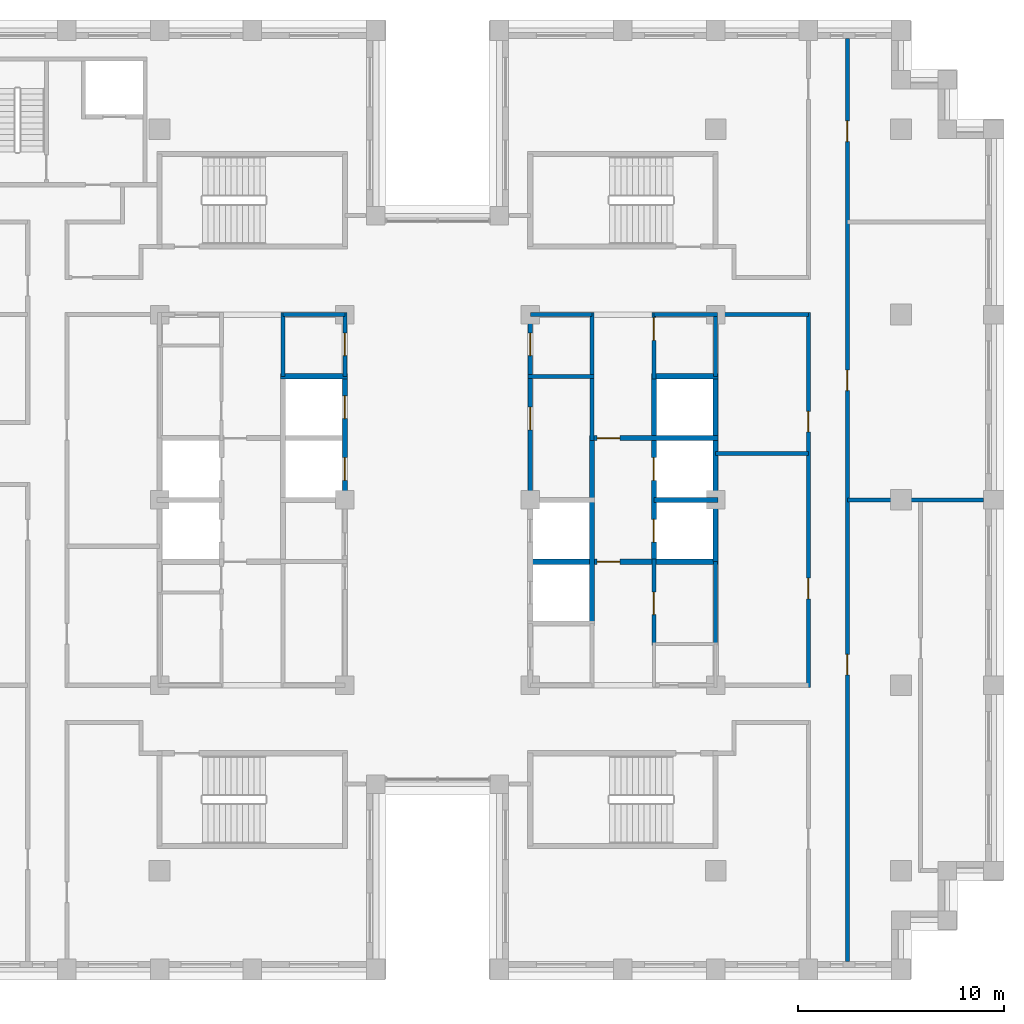
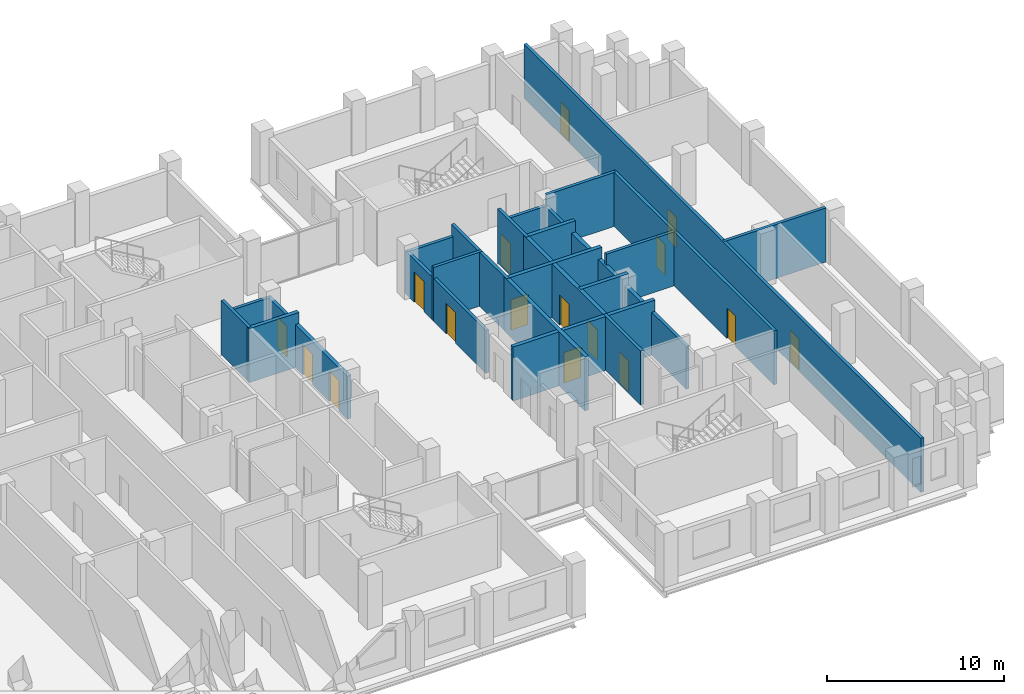
# One storey, part 9 of 15: 26 walls, 16 doors, 16 openings.
"""IFC4 building model written with IfcOpenShell, lengths in metres."""

import ifcopenshell
import ifcopenshell.guid

model = None  # the IFC model being written
_history = None  # IfcOwnerHistory: only IFC2X3 demands one
_inside = {}  # id of a spatial element -> (the spatial element, [elements in it])
_under = {}  # id of a project, library or spatial element -> (it, [spatial elements below it])
_declared = {}  # id of a project -> (the project, [libraries it declares])
_typed = {}  # id of a type object -> (the type object, [elements of that type])
_made_of = {}  # id of a material, layer set ... -> (it, [elements and type objects made of it])


def new_model(schema):
    """Start an empty IFC model of exactly this schema.

    Asked for "IFC4X3", IfcOpenShell would pick the latest addendum, in which some entities
    have other attributes; the version numbers below select the first issue.
    IFC2X3 requires an IfcOwnerHistory on every rooted entity: one is made here for all.
    """
    global model, _history
    if schema == "IFC4X3":
        model = ifcopenshell.file(schema_version=(4, 3, 0, 0))
    else:
        model = ifcopenshell.file(schema=schema)
    _inside.clear()
    _under.clear()
    _declared.clear()
    _typed.clear()
    _made_of.clear()
    _history = None
    if model.schema == "IFC2X3":
        org = make("IfcOrganization", Name="unknown")
        user = make(
            "IfcPersonAndOrganization",
            ThePerson=make("IfcPerson", FamilyName="unknown"),
            TheOrganization=org,
        )
        app = make(
            "IfcApplication",
            ApplicationDeveloper=org,
            Version="unknown",
            ApplicationFullName="unknown",
            ApplicationIdentifier="unknown",
        )
        _history = make(
            "IfcOwnerHistory",
            OwningUser=user,
            OwningApplication=app,
            ChangeAction="ADDED",
            CreationDate=0,
        )
    return model


def make(cls, **values):
    """One entity of the class cls with the attributes given. An attribute that is None is left unset."""
    return model.create_entity(
        cls, **{name: value for name, value in values.items() if value is not None}
    )


def rooted(cls, **values):
    """An entity with a GlobalId (a new one), such as an element, a storey or a relation."""
    return make(cls, GlobalId=ifcopenshell.guid.new(), OwnerHistory=_history, **values)


def si_unit(unit_type, name, prefix=None):
    """IfcSIUnit, for example si_unit("LENGTHUNIT", "METRE", prefix="MILLI")."""
    return make("IfcSIUnit", UnitType=unit_type, Prefix=prefix, Name=name)


def assignment(units):
    """IfcUnitAssignment: the units of a project."""
    return None if units is None else make("IfcUnitAssignment", Units=units)


def point(xyz):
    """IfcCartesianPoint."""
    return None if xyz is None else make("IfcCartesianPoint", Coordinates=xyz)


def direction(xyz):
    """IfcDirection."""
    return None if xyz is None else make("IfcDirection", DirectionRatios=xyz)


def frame(location, z_axis=None, x_axis=None):
    """IfcAxis2Placement3D, a coordinate frame: its origin and axes. An axis left out is left unset."""
    return make(
        "IfcAxis2Placement3D",
        Location=point(location),
        Axis=direction(z_axis),
        RefDirection=direction(x_axis),
    )


def frame_2d(location, x_axis=None):
    """IfcAxis2Placement2D, a coordinate frame in the plane: its origin and x axis."""
    return make(
        "IfcAxis2Placement2D", Location=point(location), RefDirection=direction(x_axis)
    )


def origin():
    """The frame at (0, 0, 0) with its axes left unset."""
    return frame((0.0, 0.0, 0.0))


def place(relative_to, where):
    """IfcLocalPlacement: puts the frame where relative to a parent placement (None: the world)."""
    return make(
        "IfcLocalPlacement", PlacementRelTo=relative_to, RelativePlacement=where
    )


def context(
    kind, dimensions, precision=None, world=None, true_north=None, identifier=None
):
    """IfcGeometricRepresentationContext, for example the 3D "Model" context."""
    return make(
        "IfcGeometricRepresentationContext",
        ContextIdentifier=identifier,
        ContextType=kind,
        CoordinateSpaceDimension=dimensions,
        Precision=precision,
        WorldCoordinateSystem=world,
        TrueNorth=true_north,
    )


def subcontext(parent, identifier, kind, view, scale=None):
    """IfcGeometricRepresentationSubContext, for example "Body" below "Model"."""
    return make(
        "IfcGeometricRepresentationSubContext",
        ContextIdentifier=identifier,
        ContextType=kind,
        ParentContext=parent,
        TargetScale=scale,
        TargetView=view,
    )


def project(units=None, contexts=None):
    """IfcProject with its units and contexts."""
    return rooted(
        "IfcProject",
        Name="project",
        RepresentationContexts=contexts,
        UnitsInContext=assignment(units),
    )


def spatial(cls, under=None, at=None, **own):
    """A site, building, storey or space (cls), placed at a placement, below another one or the project."""
    s = rooted(cls, ObjectPlacement=at, **own)
    if under is not None:
        _under.setdefault(under.id(), (under, []))[1].append(s)
    return s


def profile(cls, at=None, kind="AREA", **sizes):
    """A parametric profile (cls). Its sizes go by their IFC names, for example OverallWidth=200.0."""
    return make(cls, ProfileType=kind, Position=at, **sizes)


def rectangle(**sizes):
    """IfcRectangleProfileDef."""
    return profile("IfcRectangleProfileDef", **sizes)


def extrude(swept, where, along, depth):
    """IfcExtrudedAreaSolid: the profile swept, set in the frame where, extruded along a direction by depth."""
    return make(
        "IfcExtrudedAreaSolid",
        SweptArea=swept,
        Position=where,
        ExtrudedDirection=direction(along),
        Depth=depth,
    )


def shape(context_of_items, identifier, shape_type, items):
    """IfcShapeRepresentation: the items that make up one representation, for example the "Body"."""
    return make(
        "IfcShapeRepresentation",
        ContextOfItems=context_of_items,
        RepresentationIdentifier=identifier,
        RepresentationType=shape_type,
        Items=items,
    )


def material(Name=None, Category=None):
    """IfcMaterial."""
    return make("IfcMaterial", Name=Name, Category=Category)


def layer(
    of_material, thickness, ventilated=None, Name=None, Category=None, Priority=None
):
    """IfcMaterialLayer: one layer of a wall or slab, of a material (None: an air gap)."""
    return make(
        "IfcMaterialLayer",
        Material=of_material,
        LayerThickness=thickness,
        IsVentilated=ventilated,
        Name=Name,
        Category=Category,
        Priority=Priority,
    )


def layer_set(layers, Name=None):
    """IfcMaterialLayerSet."""
    return make("IfcMaterialLayerSet", MaterialLayers=layers, LayerSetName=Name)


def made_of(thing, what):
    """Note that an element or type object is made of a material, layer set ...; save() writes the relation."""
    if what is not None:
        _made_of.setdefault(what.id(), (what, []))[1].append(thing)
    return thing


def type_object(cls, material=None, **own):
    """A type object (cls), such as IfcWallType, which elements share."""
    return made_of(rooted(cls, **own), material)


def element(
    cls,
    number,
    at=None,
    inside=None,
    cuts=None,
    type_object=None,
    material=None,
    context=None,
    identifier="Body",
    shape_type=None,
    held_by="IfcProductDefinitionShape",
    body=None,
    shapes=None,
    **own,
):
    """One element of the class cls, such as IfcWall. Its Tag is "e" and its number.

    at: its placement. inside: the storey or other place that contains it. cuts: it is an
    opening in that element (IfcRelVoidsElement). A single representation is given by context,
    identifier, shape_type and body (its items); several are given by shapes. held_by: the class
    of the entity that holds the representations. save() writes the other relations.
    """
    e = rooted(cls, Tag="e%d" % number, ObjectPlacement=at, **own)
    if body is not None:
        shapes = [shape(context, identifier, shape_type, body)]
    if shapes is not None:
        e.Representation = make(held_by, Representations=shapes)
    if inside is not None:
        _inside.setdefault(inside.id(), (inside, []))[1].append(e)
    if cuts is not None:
        rooted(
            "IfcRelVoidsElement", RelatingBuildingElement=cuts, RelatedOpeningElement=e
        )
    if type_object is not None:
        _typed.setdefault(type_object.id(), (type_object, []))[1].append(e)
    return made_of(e, material)


def fill(opening, filler):
    """IfcRelFillsElement: the door or window that sits in an opening."""
    return rooted(
        "IfcRelFillsElement",
        RelatingOpeningElement=opening,
        RelatedBuildingElement=filler,
    )


def aggregate(whole, parts):
    """IfcRelAggregates: a whole, such as a stair, and the parts it consists of."""
    return rooted("IfcRelAggregates", RelatingObject=whole, RelatedObjects=parts)


def save(model, path):
    """Write the relations noted so far, then the file.

    IfcRelAggregates (storeys below a building ...), IfcRelContainedInSpatialStructure (elements
    in a storey), IfcRelDefinesByType, IfcRelAssociatesMaterial and IfcRelDeclares: one each for
    every whole, place, type object, material and project.
    """
    for whole, parts in _under.values():
        aggregate(whole, parts)
    for where, things in _inside.values():
        rooted(
            "IfcRelContainedInSpatialStructure",
            RelatedElements=things,
            RelatingStructure=where,
        )
    for kind, things in _typed.values():
        rooted("IfcRelDefinesByType", RelatedObjects=things, RelatingType=kind)
    for what, things in _made_of.values():
        rooted("IfcRelAssociatesMaterial", RelatedObjects=things, RelatingMaterial=what)
    for by, libraries in _declared.values():
        rooted("IfcRelDeclares", RelatingContext=by, RelatedDefinitions=libraries)
    model.write(path)


model = new_model("IFC4")

# Units and contexts
model_context = context("Model", 3, precision=1e-05, world=origin(), true_north=direction((0.0, 1.0)))
body_context = subcontext(model_context, "Body", "Model", "MODEL_VIEW")
ifc_project = project(units=[si_unit("LENGTHUNIT", "METRE"), si_unit("AREAUNIT", "SQUARE_METRE"), si_unit("VOLUMEUNIT", "CUBIC_METRE"), si_unit("PLANEANGLEUNIT", "RADIAN"), si_unit("MASSUNIT", "GRAM", prefix="KILO")], contexts=[model_context])

# Site, building, storey
site_placement = place(None, origin())
site = spatial("IfcSite", under=ifc_project, at=site_placement, CompositionType="ELEMENT")
building_placement = place(site_placement, origin())
building = spatial("IfcBuilding", under=site, at=building_placement, Name="Corbelhall Arena Tower", CompositionType="ELEMENT")
storey_placement = place(building_placement, frame((0.0, 0.0, 224.0)))
storey = spatial("IfcBuildingStorey", under=building, at=storey_placement, Name="L47", CompositionType="ELEMENT", Elevation=224.0)

# Walls
ifc_material_1 = material(Name="Gypsum board on steel stud, acoustic", Category="steel")
ifc_layer_1 = layer(ifc_material_1, 0.199951171875)
ifc_layer_set_1 = layer_set([ifc_layer_1], Name="IN-W-DM200")
wall_type_1 = type_object("IfcWallType", Name="IN-W-DM200", PredefinedType="PARTITIONING", material=ifc_layer_set_1)
for number, where, z_axis, x_axis, name in (
    (1, (13.5, 2.25, 0.0), (0.0, 0.0, 1.0), (1.0, 0.0, 0.0), "Partition 037"),
    (2, (18.0, 9.0, 0.0), (0.0, 0.0, 1.0), (-1.0, 0.0, 0.0), "Partition 040"),
):
    element("IfcWall", number, at=place(storey_placement, frame(where, z_axis=z_axis, x_axis=x_axis)), inside=storey, type_object=wall_type_1, Name=name, PredefinedType="PARTITIONING", context=body_context, shape_type="SweptSolid", body=[
        extrude(rectangle(XDim=4.5, YDim=0.199951171875, at=frame_2d((2.25, 0.0))), origin(), (0.0, 0.0, 1.0), 3.719970703125),
    ])

# Wall, openings, doors
wall_1_placement = place(storey_placement, frame((18.0, -9.10009765625, 0.0), z_axis=(0.0, 0.0, 1.0), x_axis=(0.0, 1.0, 0.0)))
wall_1 = element("IfcWall", 3, at=wall_1_placement, inside=storey, type_object=wall_type_1, Name="Partition 045", PredefinedType="PARTITIONING", context=body_context, shape_type="SweptSolid", body=[
    extrude(rectangle(XDim=18.2001953125, YDim=0.199951171875, at=frame_2d((9.10009765625, 0.0))), origin(), (0.0, 0.0, 1.0), 3.719970703125),
])
opening_1_placement = place(wall_1_placement, frame((4.300048828125, 0.0, 0.0)))
opening_1 = element("IfcOpeningElement", 4, at=opening_1_placement, cuts=wall_1, Name="Opening 14026", PredefinedType="OPENING", context=body_context, shape_type="SweptSolid", body=[
    extrude(rectangle(XDim=1.0, YDim=2.10009765625, at=frame_2d((0.5, 1.050048828125))), frame((0.0, 0.10009765625, 0.0), z_axis=(0.0, -1.0, 0.0), x_axis=(1.0, 0.0, 0.0)), (0.0, 0.0, 1.0), 0.199951171875),
])
opening_2_placement = place(wall_1_placement, frame((12.39990234375, 0.0, 0.0)))
opening_2 = element("IfcOpeningElement", 5, at=opening_2_placement, cuts=wall_1, Name="Opening 14027", PredefinedType="OPENING", context=body_context, shape_type="SweptSolid", body=[
    extrude(rectangle(XDim=1.0, YDim=2.10009765625, at=frame_2d((0.5, 1.050048828125))), frame((0.0, 0.10009765625, 0.0), z_axis=(0.0, -1.0, 0.0), x_axis=(1.0, 0.0, 0.0)), (0.0, 0.0, 1.0), 0.199951171875),
])
ifc_material_2 = material(Name="Steel door set", Category="steel")
door_type_1 = type_object("IfcDoorType", Name="IN-D-SW100", OperationType="NOTDEFINED", PredefinedType="DOOR", material=ifc_material_2)
door_1_placement = place(opening_1_placement, origin())
door_1 = element("IfcDoor", 6, at=door_1_placement, inside=storey, type_object=door_type_1, Name="Door 026", OperationType="SINGLE_SWING_LEFT", OverallHeight=2.10009765625, OverallWidth=1.0, PredefinedType="DOOR", context=body_context, shape_type="SweptSolid", body=[
    extrude(rectangle(XDim=1.0, YDim=2.10009765625, at=frame_2d((0.5, 1.050048828125))), frame((0.0, 0.02490234375, 0.0), z_axis=(0.0, -1.0, 0.0), x_axis=(1.0, 0.0, 0.0)), (0.0, 0.0, 1.0), 0.050048828125),
])
fill(opening_1, door_1)
door_2_placement = place(opening_2_placement, origin())
door_2 = element("IfcDoor", 7, at=door_2_placement, inside=storey, type_object=door_type_1, Name="Door 027", OperationType="SINGLE_SWING_RIGHT", OverallHeight=2.10009765625, OverallWidth=1.0, PredefinedType="DOOR", context=body_context, shape_type="SweptSolid", body=[
    extrude(rectangle(XDim=1.0, YDim=2.10009765625, at=frame_2d((0.5, 1.050048828125))), frame((0.0, 0.02490234375, 0.0), z_axis=(0.0, -1.0, 0.0), x_axis=(1.0, 0.0, 0.0)), (0.0, 0.0, 1.0), 0.050048828125),
])
fill(opening_2, door_2)

wall_2_placement = place(storey_placement, frame((19.89990234375, 22.39990234375, 0.0), z_axis=(0.0, 0.0, 1.0), x_axis=(0.0, -1.0, 0.0)))
wall_2 = element("IfcWall", 8, at=wall_2_placement, inside=storey, type_object=wall_type_1, Name="Partition 047", PredefinedType="PARTITIONING", context=body_context, shape_type="SweptSolid", body=[
    extrude(rectangle(XDim=44.7998046875, YDim=0.199951171875, at=frame_2d((22.39990234375, 0.0))), origin(), (0.0, 0.0, 1.0), 3.719970703125),
])
opening_3_placement = place(wall_2_placement, frame((16.10009765625, 0.0, 0.0)))
opening_3 = element("IfcOpeningElement", 9, at=opening_3_placement, cuts=wall_2, Name="Opening 14038", PredefinedType="OPENING", context=body_context, shape_type="SweptSolid", body=[
    extrude(rectangle(XDim=1.0, YDim=2.10009765625, at=frame_2d((0.5, 1.050048828125))), frame((0.0, 0.10009765625, 0.0), z_axis=(0.0, -1.0, 0.0), x_axis=(1.0, 0.0, 0.0)), (0.0, 0.0, 1.0), 0.199951171875),
])
opening_4_placement = place(wall_2_placement, frame((4.0, 0.0, 0.0)))
opening_4 = element("IfcOpeningElement", 10, at=opening_4_placement, cuts=wall_2, Name="Opening 14039", PredefinedType="OPENING", context=body_context, shape_type="SweptSolid", body=[
    extrude(rectangle(XDim=1.0, YDim=2.10009765625, at=frame_2d((0.5, 1.050048828125))), frame((0.0, 0.10009765625, 0.0), z_axis=(0.0, -1.0, 0.0), x_axis=(1.0, 0.0, 0.0)), (0.0, 0.0, 1.0), 0.199951171875),
])
opening_5_placement = place(wall_2_placement, frame((29.89990234375, 0.0, 0.0)))
opening_5 = element("IfcOpeningElement", 11, at=opening_5_placement, cuts=wall_2, Name="Opening 14040", PredefinedType="OPENING", context=body_context, shape_type="SweptSolid", body=[
    extrude(rectangle(XDim=1.0, YDim=2.10009765625, at=frame_2d((0.5, 1.050048828125))), frame((0.0, 0.10009765625, 0.0), z_axis=(0.0, -1.0, 0.0), x_axis=(1.0, 0.0, 0.0)), (0.0, 0.0, 1.0), 0.199951171875),
])
door_3_placement = place(opening_3_placement, origin())
door_3 = element("IfcDoor", 12, at=door_3_placement, inside=storey, type_object=door_type_1, Name="Door 038", OperationType="SINGLE_SWING_LEFT", OverallHeight=2.10009765625, OverallWidth=1.0, PredefinedType="DOOR", context=body_context, shape_type="SweptSolid", body=[
    extrude(rectangle(XDim=1.0, YDim=2.10009765625, at=frame_2d((0.5, 1.050048828125))), frame((0.0, 0.02490234375, 0.0), z_axis=(0.0, -1.0, 0.0), x_axis=(1.0, 0.0, 0.0)), (0.0, 0.0, 1.0), 0.050048828125),
])
fill(opening_3, door_3)
door_4_placement = place(opening_4_placement, origin())
door_4 = element("IfcDoor", 13, at=door_4_placement, inside=storey, type_object=door_type_1, Name="Door 039", OperationType="SINGLE_SWING_RIGHT", OverallHeight=2.10009765625, OverallWidth=1.0, PredefinedType="DOOR", context=body_context, shape_type="SweptSolid", body=[
    extrude(rectangle(XDim=1.0, YDim=2.10009765625, at=frame_2d((0.5, 1.050048828125))), frame((0.0, 0.02490234375, 0.0), z_axis=(0.0, -1.0, 0.0), x_axis=(1.0, 0.0, 0.0)), (0.0, 0.0, 1.0), 0.050048828125),
])
fill(opening_4, door_4)
door_5_placement = place(opening_5_placement, origin())
door_5 = element("IfcDoor", 14, at=door_5_placement, inside=storey, type_object=door_type_1, Name="Door 040", OperationType="SINGLE_SWING_LEFT", OverallHeight=2.10009765625, OverallWidth=1.0, PredefinedType="DOOR", context=body_context, shape_type="SweptSolid", body=[
    extrude(rectangle(XDim=1.0, YDim=2.10009765625, at=frame_2d((0.5, 1.050048828125))), frame((0.0, 0.02490234375, 0.0), z_axis=(0.0, -1.0, 0.0), x_axis=(1.0, 0.0, 0.0)), (0.0, 0.0, 1.0), 0.050048828125),
])
fill(opening_5, door_5)

# Walls
wall_3_placement = place(storey_placement, frame((26.5, 0.0, 0.0), z_axis=(0.0, 0.0, 1.0), x_axis=(-1.0, 0.0, 0.0)))
element("IfcWall", 15, at=wall_3_placement, inside=storey, type_object=wall_type_1, Name="Partition 051", PredefinedType="PARTITIONING", context=body_context, shape_type="SweptSolid", body=[
    extrude(rectangle(XDim=6.60009765625, YDim=0.199951171875, at=frame_2d((3.300048828125, 0.0))), origin(), (0.0, 0.0, 1.0), 3.719970703125),
])
ifc_material_3 = material(Name="Concrete block wall", Category="concrete")
ifc_layer_2 = layer(ifc_material_3, 0.199951171875)
ifc_layer_set_2 = layer_set([ifc_layer_2], Name="IN-W-RS200")
wall_type_2 = type_object("IfcWallType", Name="IN-W-RS200", PredefinedType="SOLIDWALL", material=ifc_layer_set_2)
wall_4_placement = place(storey_placement, frame((-7.5, 6.0, 0.0), z_axis=(0.0, 0.0, 1.0), x_axis=(0.0, 1.0, 0.0)))
element("IfcWall", 16, at=wall_4_placement, inside=storey, type_object=wall_type_2, Name="Partition 059", PredefinedType="SOLIDWALL", context=body_context, shape_type="SweptSolid", body=[
    extrude(rectangle(XDim=3.10009765625, YDim=0.199951171875, at=frame_2d((1.550048828125, 0.0))), origin(), (0.0, 0.0, 1.0), 3.719970703125),
])
wall_5_placement = place(storey_placement, frame((4.39990234375, 6.0, 0.0), z_axis=(0.0, 0.0, 1.0), x_axis=(1.0, 0.0, 0.0)))
element("IfcWall", 17, at=wall_5_placement, inside=storey, type_object=wall_type_2, Name="Partition 064", PredefinedType="SOLIDWALL", context=body_context, shape_type="SweptSolid", body=[
    extrude(rectangle(XDim=3.2001953125, YDim=0.199951171875, at=frame_2d((1.60009765625, 0.0))), origin(), (0.0, 0.0, 1.0), 3.719970703125),
])
wall_6_placement = place(storey_placement, frame((7.5, 9.10009765625, 0.0), z_axis=(0.0, 0.0, 1.0), x_axis=(0.0, -1.0, 0.0)))
element("IfcWall", 18, at=wall_6_placement, inside=storey, type_object=wall_type_2, Name="Partition 070", PredefinedType="SOLIDWALL", context=body_context, shape_type="SweptSolid", body=[
    extrude(rectangle(XDim=6.22509765625, YDim=0.199951171875, at=frame_2d((3.112548828125, 0.0))), origin(), (0.0, 0.0, 1.0), 3.719970703125),
])

# Wall, opening, door
wall_7_placement = place(storey_placement, frame((10.5, -2.875, 0.0), z_axis=(0.0, 0.0, 1.0), x_axis=(0.0, -1.0, 0.0)))
wall_7 = element("IfcWall", 19, at=wall_7_placement, inside=storey, type_object=wall_type_2, Name="Partition 071", PredefinedType="SOLIDWALL", context=body_context, shape_type="SweptSolid", body=[
    extrude(rectangle(XDim=4.199951171875, YDim=0.199951171875, at=frame_2d((2.10009765625, 0.0))), origin(), (0.0, 0.0, 1.0), 3.719970703125),
])
opening_6_placement = place(wall_7_placement, frame((1.60009765625, 0.0, 0.0)))
opening_6 = element("IfcOpeningElement", 20, at=opening_6_placement, cuts=wall_7, Name="Opening 14016", PredefinedType="OPENING", context=body_context, shape_type="SweptSolid", body=[
    extrude(rectangle(XDim=1.10009765625, YDim=2.10009765625, at=frame_2d((0.550048828125, 1.050048828125))), frame((0.0, 0.10009765625, 0.0), z_axis=(0.0, -1.0, 0.0), x_axis=(1.0, 0.0, 0.0)), (0.0, 0.0, 1.0), 0.199951171875),
])
door_type_2 = type_object("IfcDoorType", Name="IN-D-FD110", OperationType="NOTDEFINED", PredefinedType="DOOR", material=ifc_material_2)
door_6_placement = place(opening_6_placement, origin())
door_6 = element("IfcDoor", 21, at=door_6_placement, inside=storey, type_object=door_type_2, Name="Door 016", OperationType="SINGLE_SWING_LEFT", OverallHeight=2.10009765625, OverallWidth=1.10009765625, PredefinedType="DOOR", context=body_context, shape_type="SweptSolid", body=[
    extrude(rectangle(XDim=1.10009765625, YDim=2.10009765625, at=frame_2d((0.550048828125, 1.050048828125))), frame((0.0, 0.02490234375, 0.0), z_axis=(0.0, -1.0, 0.0), x_axis=(1.0, 0.0, 0.0)), (0.0, 0.0, 1.0), 0.050048828125),
])
fill(opening_6, door_6)

wall_8_placement = place(storey_placement, frame((10.5, 9.10009765625, 0.0), z_axis=(0.0, 0.0, 1.0), x_axis=(0.0, -1.0, 0.0)))
wall_8 = element("IfcWall", 22, at=wall_8_placement, inside=storey, type_object=wall_type_2, Name="Partition 073", PredefinedType="SOLIDWALL", context=body_context, shape_type="SweptSolid", body=[
    extrude(rectangle(XDim=3.22509765625, YDim=0.199951171875, at=frame_2d((1.612548828125, 0.0))), origin(), (0.0, 0.0, 1.0), 3.719970703125),
])
opening_7_placement = place(wall_8_placement, frame((0.25, 0.0, 0.0)))
opening_7 = element("IfcOpeningElement", 23, at=opening_7_placement, cuts=wall_8, Name="Opening 14017", PredefinedType="OPENING", context=body_context, shape_type="SweptSolid", body=[
    extrude(rectangle(XDim=1.10009765625, YDim=2.10009765625, at=frame_2d((0.550048828125, 1.050048828125))), frame((0.0, 0.10009765625, 0.0), z_axis=(0.0, -1.0, 0.0), x_axis=(1.0, 0.0, 0.0)), (0.0, 0.0, 1.0), 0.199951171875),
])
door_7_placement = place(opening_7_placement, origin())
door_7 = element("IfcDoor", 24, at=door_7_placement, inside=storey, type_object=door_type_2, Name="Door 017", OperationType="SINGLE_SWING_RIGHT", OverallHeight=2.10009765625, OverallWidth=1.10009765625, PredefinedType="DOOR", context=body_context, shape_type="SweptSolid", body=[
    extrude(rectangle(XDim=1.10009765625, YDim=2.10009765625, at=frame_2d((0.550048828125, 1.050048828125))), frame((0.0, 0.02490234375, 0.0), z_axis=(0.0, -1.0, 0.0), x_axis=(1.0, 0.0, 0.0)), (0.0, 0.0, 1.0), 0.050048828125),
])
fill(opening_7, door_7)

# Wall
ifc_layer_3 = layer(ifc_material_3, 0.199951171875)
ifc_layer_set_3 = layer_set([ifc_layer_3], Name="IN-W-RS200 under beam 762 mm")
wall_type_3 = type_object("IfcWallType", Name="IN-W-RS200 under beam 762 mm", PredefinedType="SOLIDWALL", material=ifc_layer_set_3)
wall_9_placement = place(storey_placement, frame((-7.5, 9.0, 0.0), z_axis=(0.0, 0.0, 1.0), x_axis=(1.0, 0.0, 0.0)))
element("IfcWall", 25, at=wall_9_placement, inside=storey, type_object=wall_type_3, Name="Partition 060", PredefinedType="SOLIDWALL", context=body_context, shape_type="SweptSolid", body=[
    extrude(rectangle(XDim=3.0, YDim=0.199951171875, at=frame_2d((1.5, 0.0))), origin(), (0.0, 0.0, 1.0), 2.9580078125),
])

# Wall, opening, door
wall_10_placement = place(storey_placement, frame((-4.5, 9.10009765625, 0.0), z_axis=(0.0, 0.0, 1.0), x_axis=(0.0, -1.0, 0.0)))
wall_10 = element("IfcWall", 26, at=wall_10_placement, inside=storey, type_object=wall_type_3, Name="Partition 063", PredefinedType="SOLIDWALL", context=body_context, shape_type="SweptSolid", body=[
    extrude(rectangle(XDim=3.10009765625, YDim=0.199951171875, at=frame_2d((1.550048828125, 0.0))), origin(), (0.0, 0.0, 1.0), 2.9580078125),
])
opening_8_placement = place(wall_10_placement, frame((1.0, 0.0, 0.0)))
opening_8 = element("IfcOpeningElement", 27, at=opening_8_placement, cuts=wall_10, Name="Opening 14003", PredefinedType="OPENING", context=body_context, shape_type="SweptSolid", body=[
    extrude(rectangle(XDim=1.10009765625, YDim=2.10009765625, at=frame_2d((0.550048828125, 1.050048828125))), frame((0.0, 0.10009765625, 0.0), z_axis=(0.0, -1.0, 0.0), x_axis=(1.0, 0.0, 0.0)), (0.0, 0.0, 1.0), 0.199951171875),
])
door_8_placement = place(opening_8_placement, origin())
door_8 = element("IfcDoor", 28, at=door_8_placement, inside=storey, type_object=door_type_2, Name="Door 003", OperationType="SINGLE_SWING_RIGHT", OverallHeight=2.10009765625, OverallWidth=1.10009765625, PredefinedType="DOOR", context=body_context, shape_type="SweptSolid", body=[
    extrude(rectangle(XDim=1.10009765625, YDim=2.10009765625, at=frame_2d((0.550048828125, 1.050048828125))), frame((0.0, 0.02490234375, 0.0), z_axis=(0.0, -1.0, 0.0), x_axis=(1.0, 0.0, 0.0)), (0.0, 0.0, 1.0), 0.050048828125),
])
fill(opening_8, door_8)

# Wall, openings, doors
wall_11_placement = place(storey_placement, frame((4.5, 0.0, 0.0), z_axis=(0.0, 0.0, 1.0), x_axis=(0.0, 1.0, 0.0)))
wall_11 = element("IfcWall", 29, at=wall_11_placement, inside=storey, type_object=wall_type_3, Name="Partition 066", PredefinedType="SOLIDWALL", context=body_context, shape_type="SweptSolid", body=[
    extrude(rectangle(XDim=9.10009765625, YDim=0.199951171875, at=frame_2d((4.550048828125, 0.0))), origin(), (0.0, 0.0, 1.0), 2.9580078125),
])
opening_9_placement = place(wall_11_placement, frame((3.39990234375, 0.0, 0.0)))
opening_9 = element("IfcOpeningElement", 30, at=opening_9_placement, cuts=wall_11, Name="Opening 14011", PredefinedType="OPENING", context=body_context, shape_type="SweptSolid", body=[
    extrude(rectangle(XDim=1.10009765625, YDim=2.10009765625, at=frame_2d((0.550048828125, 1.050048828125))), frame((0.0, 0.10009765625, 0.0), z_axis=(0.0, -1.0, 0.0), x_axis=(1.0, 0.0, 0.0)), (0.0, 0.0, 1.0), 0.199951171875),
])
opening_10_placement = place(wall_11_placement, frame((7.0, 0.0, 0.0)))
opening_10 = element("IfcOpeningElement", 31, at=opening_10_placement, cuts=wall_11, Name="Opening 14012", PredefinedType="OPENING", context=body_context, shape_type="SweptSolid", body=[
    extrude(rectangle(XDim=1.10009765625, YDim=2.10009765625, at=frame_2d((0.550048828125, 1.050048828125))), frame((0.0, 0.10009765625, 0.0), z_axis=(0.0, -1.0, 0.0), x_axis=(1.0, 0.0, 0.0)), (0.0, 0.0, 1.0), 0.199951171875),
])
door_9_placement = place(opening_9_placement, origin())
door_9 = element("IfcDoor", 32, at=door_9_placement, inside=storey, type_object=door_type_2, Name="Door 011", OperationType="SINGLE_SWING_RIGHT", OverallHeight=2.10009765625, OverallWidth=1.10009765625, PredefinedType="DOOR", context=body_context, shape_type="SweptSolid", body=[
    extrude(rectangle(XDim=1.10009765625, YDim=2.10009765625, at=frame_2d((0.550048828125, 1.050048828125))), frame((0.0, 0.02490234375, 0.0), z_axis=(0.0, -1.0, 0.0), x_axis=(1.0, 0.0, 0.0)), (0.0, 0.0, 1.0), 0.050048828125),
])
fill(opening_9, door_9)
door_10_placement = place(opening_10_placement, origin())
door_10 = element("IfcDoor", 33, at=door_10_placement, inside=storey, type_object=door_type_2, Name="Door 012", OperationType="SINGLE_SWING_LEFT", OverallHeight=2.10009765625, OverallWidth=1.10009765625, PredefinedType="DOOR", context=body_context, shape_type="SweptSolid", body=[
    extrude(rectangle(XDim=1.10009765625, YDim=2.10009765625, at=frame_2d((0.550048828125, 1.050048828125))), frame((0.0, 0.02490234375, 0.0), z_axis=(0.0, -1.0, 0.0), x_axis=(1.0, 0.0, 0.0)), (0.0, 0.0, 1.0), 0.050048828125),
])
fill(opening_10, door_10)

# Walls
wall_12_placement = place(storey_placement, frame((4.5, 9.0, 0.0), z_axis=(0.0, 0.0, 1.0), x_axis=(1.0, 0.0, 0.0)))
element("IfcWall", 34, at=wall_12_placement, inside=storey, type_object=wall_type_3, Name="Partition 067", PredefinedType="SOLIDWALL", context=body_context, shape_type="SweptSolid", body=[
    extrude(rectangle(XDim=3.0, YDim=0.199951171875, at=frame_2d((1.5, 0.0))), origin(), (0.0, 0.0, 1.0), 2.9580078125),
])
wall_13_placement = place(storey_placement, frame((10.5, 9.0, 0.0), z_axis=(0.0, 0.0, 1.0), x_axis=(1.0, 0.0, 0.0)))
element("IfcWall", 35, at=wall_13_placement, inside=storey, type_object=wall_type_3, Name="Partition 072", PredefinedType="SOLIDWALL", context=body_context, shape_type="SweptSolid", body=[
    extrude(rectangle(XDim=3.10009765625, YDim=0.199951171875, at=frame_2d((1.550048828125, 0.0))), origin(), (0.0, 0.0, 1.0), 2.9580078125),
])
wall_14_placement = place(storey_placement, frame((13.5, -3.0, 0.0), z_axis=(0.0, 0.0, 1.0), x_axis=(0.0, -1.0, 0.0)))
element("IfcWall", 36, at=wall_14_placement, inside=storey, type_object=wall_type_3, Name="Partition 074", PredefinedType="SOLIDWALL", context=body_context, shape_type="SweptSolid", body=[
    extrude(rectangle(XDim=4.0, YDim=0.199951171875, at=frame_2d((2.0, 0.0))), origin(), (0.0, 0.0, 1.0), 2.9580078125),
])
wall_15_placement = place(storey_placement, frame((13.5, 9.10009765625, 0.0), z_axis=(0.0, 0.0, 1.0), x_axis=(0.0, -1.0, 0.0)))
element("IfcWall", 37, at=wall_15_placement, inside=storey, type_object=wall_type_3, Name="Partition 075", PredefinedType="SOLIDWALL", context=body_context, shape_type="SweptSolid", body=[
    extrude(rectangle(XDim=3.10009765625, YDim=0.199951171875, at=frame_2d((1.550048828125, 0.0))), origin(), (0.0, 0.0, 1.0), 2.9580078125),
])
ifc_material_4 = material(Name="Concrete C40/50", Category="concrete")
ifc_layer_4 = layer(ifc_material_4, 0.25)
ifc_layer_set_4 = layer_set([ifc_layer_4], Name="IN-W-SH250")
wall_type_4 = type_object("IfcWallType", Name="IN-W-SH250", PredefinedType="SOLIDWALL", material=ifc_layer_set_4)
wall_16_placement = place(storey_placement, frame((-7.625, 6.0, 0.0), z_axis=(0.0, 0.0, 1.0), x_axis=(1.0, 0.0, 0.0)))
element("IfcWall", 38, at=wall_16_placement, inside=storey, type_object=wall_type_4, Name="Shaft wall 082", PredefinedType="SOLIDWALL", context=body_context, shape_type="SweptSolid", body=[
    extrude(rectangle(XDim=3.25, YDim=0.25, at=frame_2d((1.625, 0.0))), origin(), (0.0, 0.0, 1.0), 3.719970703125),
])

# Wall, opening, door
wall_17_placement = place(storey_placement, frame((4.375, -3.0, 0.0), z_axis=(0.0, 0.0, 1.0), x_axis=(1.0, 0.0, 0.0)))
wall_17 = element("IfcWall", 39, at=wall_17_placement, inside=storey, type_object=wall_type_4, Name="Shaft wall 086", PredefinedType="SOLIDWALL", context=body_context, shape_type="SweptSolid", body=[
    extrude(rectangle(XDim=9.25, YDim=0.25, at=frame_2d((4.625, 0.0))), origin(), (0.0, 0.0, 1.0), 3.719970703125),
])
opening_11_placement = place(wall_17_placement, frame((3.375, 0.0, 0.0)))
opening_11 = element("IfcOpeningElement", 40, at=opening_11_placement, cuts=wall_17, Name="Opening 14013", PredefinedType="OPENING", context=body_context, shape_type="SweptSolid", body=[
    extrude(rectangle(XDim=1.10009765625, YDim=2.10009765625, at=frame_2d((0.550048828125, 1.050048828125))), frame((0.0, 0.125, 0.0), z_axis=(0.0, -1.0, 0.0), x_axis=(1.0, 0.0, 0.0)), (0.0, 0.0, 1.0), 0.25),
])
door_11_placement = place(opening_11_placement, origin())
door_11 = element("IfcDoor", 41, at=door_11_placement, inside=storey, type_object=door_type_2, Name="Door 013", OperationType="SINGLE_SWING_RIGHT", OverallHeight=2.10009765625, OverallWidth=1.10009765625, PredefinedType="DOOR", context=body_context, shape_type="SweptSolid", body=[
    extrude(rectangle(XDim=1.10009765625, YDim=2.10009765625, at=frame_2d((0.550048828125, 1.050048828125))), frame((0.0, 0.02490234375, 0.0), z_axis=(0.0, -1.0, 0.0), x_axis=(1.0, 0.0, 0.0)), (0.0, 0.0, 1.0), 0.050048828125),
])
fill(opening_11, door_11)

# Wall
wall_18_placement = place(storey_placement, frame((7.5, 3.125, 0.0), z_axis=(0.0, 0.0, 1.0), x_axis=(0.0, -1.0, 0.0)))
element("IfcWall", 42, at=wall_18_placement, inside=storey, type_object=wall_type_4, Name="Shaft wall 089", PredefinedType="SOLIDWALL", context=body_context, shape_type="SweptSolid", body=[
    extrude(rectangle(XDim=9.125, YDim=0.25, at=frame_2d((4.5625, 0.0))), origin(), (0.0, 0.0, 1.0), 3.719970703125),
])

# Wall, opening, door
wall_19_placement = place(storey_placement, frame((7.5, 3.0, 0.0), z_axis=(0.0, 0.0, 1.0), x_axis=(1.0, 0.0, 0.0)))
wall_19 = element("IfcWall", 43, at=wall_19_placement, inside=storey, type_object=wall_type_4, Name="Shaft wall 090", PredefinedType="SOLIDWALL", context=body_context, shape_type="SweptSolid", body=[
    extrude(rectangle(XDim=6.125, YDim=0.25, at=frame_2d((3.0625, 0.0))), origin(), (0.0, 0.0, 1.0), 3.719970703125),
])
opening_12_placement = place(wall_19_placement, frame((0.25, 0.0, 0.0)))
opening_12 = element("IfcOpeningElement", 44, at=opening_12_placement, cuts=wall_19, Name="Opening 14014", PredefinedType="OPENING", context=body_context, shape_type="SweptSolid", body=[
    extrude(rectangle(XDim=1.10009765625, YDim=2.10009765625, at=frame_2d((0.550048828125, 1.050048828125))), frame((0.0, 0.125, 0.0), z_axis=(0.0, -1.0, 0.0), x_axis=(1.0, 0.0, 0.0)), (0.0, 0.0, 1.0), 0.25),
])
door_12_placement = place(opening_12_placement, origin())
door_12 = element("IfcDoor", 45, at=door_12_placement, inside=storey, type_object=door_type_2, Name="Door 014", OperationType="SINGLE_SWING_LEFT", OverallHeight=2.10009765625, OverallWidth=1.10009765625, PredefinedType="DOOR", context=body_context, shape_type="SweptSolid", body=[
    extrude(rectangle(XDim=1.10009765625, YDim=2.10009765625, at=frame_2d((0.550048828125, 1.050048828125))), frame((0.0, 0.02490234375, 0.0), z_axis=(0.0, -1.0, 0.0), x_axis=(1.0, 0.0, 0.0)), (0.0, 0.0, 1.0), 0.050048828125),
])
fill(opening_12, door_12)

# Wall
wall_20_placement = place(storey_placement, frame((10.5, 0.0, 0.0), z_axis=(0.0, 0.0, 1.0), x_axis=(1.0, 0.0, 0.0)))
element("IfcWall", 46, at=wall_20_placement, inside=storey, type_object=wall_type_4, Name="Shaft wall 091", PredefinedType="SOLIDWALL", context=body_context, shape_type="SweptSolid", body=[
    extrude(rectangle(XDim=3.125, YDim=0.25, at=frame_2d((1.5625, 0.0))), origin(), (0.0, 0.0, 1.0), 3.719970703125),
])

# Wall, openings, doors
wall_21_placement = place(storey_placement, frame((10.5, 6.125, 0.0), z_axis=(0.0, 0.0, 1.0), x_axis=(0.0, -1.0, 0.0)))
wall_21 = element("IfcWall", 47, at=wall_21_placement, inside=storey, type_object=wall_type_4, Name="Shaft wall 092", PredefinedType="SOLIDWALL", context=body_context, shape_type="SweptSolid", body=[
    extrude(rectangle(XDim=9.25, YDim=0.25, at=frame_2d((4.625, 0.0))), origin(), (0.0, 0.0, 1.0), 3.719970703125),
])
opening_13_placement = place(wall_21_placement, frame((7.074951171875, 0.0, 0.0)))
opening_13 = element("IfcOpeningElement", 48, at=opening_13_placement, cuts=wall_21, Name="Opening LD", PredefinedType="OPENING", context=body_context, shape_type="SweptSolid", body=[
    extrude(rectangle(XDim=1.10009765625, YDim=2.10009765625, at=frame_2d((0.550048828125, 1.050048828125))), frame((0.0, 0.125, 0.0), z_axis=(0.0, -1.0, 0.0), x_axis=(1.0, 0.0, 0.0)), (0.0, 0.0, 1.0), 0.25),
])
opening_14_placement = place(wall_21_placement, frame((4.074951171875, 0.0, 0.0)))
opening_14 = element("IfcOpeningElement", 49, at=opening_14_placement, cuts=wall_21, Name="Opening LD", PredefinedType="OPENING", context=body_context, shape_type="SweptSolid", body=[
    extrude(rectangle(XDim=1.10009765625, YDim=2.10009765625, at=frame_2d((0.550048828125, 1.050048828125))), frame((0.0, 0.125, 0.0), z_axis=(0.0, -1.0, 0.0), x_axis=(1.0, 0.0, 0.0)), (0.0, 0.0, 1.0), 0.25),
])
door_type_3 = type_object("IfcDoorType", Name="IN-D-LD110", OperationType="NOTDEFINED", PredefinedType="DOOR", material=ifc_material_2)
door_13_placement = place(opening_13_placement, origin())
door_13 = element("IfcDoor", 50, at=door_13_placement, inside=storey, type_object=door_type_3, Name="Landing door E3", OperationType="SLIDING_TO_LEFT", OverallHeight=2.10009765625, OverallWidth=1.10009765625, PredefinedType="DOOR", context=body_context, shape_type="SweptSolid", body=[
    extrude(rectangle(XDim=1.10009765625, YDim=2.10009765625, at=frame_2d((0.550048828125, 1.050048828125))), frame((0.0, 0.02490234375, 0.0), z_axis=(0.0, -1.0, 0.0), x_axis=(1.0, 0.0, 0.0)), (0.0, 0.0, 1.0), 0.050048828125),
])
fill(opening_13, door_13)
door_14_placement = place(opening_14_placement, origin())
door_14 = element("IfcDoor", 51, at=door_14_placement, inside=storey, type_object=door_type_3, Name="Landing door E4", OperationType="SLIDING_TO_LEFT", OverallHeight=2.10009765625, OverallWidth=1.10009765625, PredefinedType="DOOR", context=body_context, shape_type="SweptSolid", body=[
    extrude(rectangle(XDim=1.10009765625, YDim=2.10009765625, at=frame_2d((0.550048828125, 1.050048828125))), frame((0.0, 0.02490234375, 0.0), z_axis=(0.0, -1.0, 0.0), x_axis=(1.0, 0.0, 0.0)), (0.0, 0.0, 1.0), 0.050048828125),
])
fill(opening_14, door_14)

# Wall
wall_22_placement = place(storey_placement, frame((10.5, 6.0, 0.0), z_axis=(0.0, 0.0, 1.0), x_axis=(1.0, 0.0, 0.0)))
element("IfcWall", 52, at=wall_22_placement, inside=storey, type_object=wall_type_4, Name="Shaft wall 093", PredefinedType="SOLIDWALL", context=body_context, shape_type="SweptSolid", body=[
    extrude(rectangle(XDim=3.125, YDim=0.25, at=frame_2d((1.5625, 0.0))), origin(), (0.0, 0.0, 1.0), 3.719970703125),
])

# Wall, openings, doors
ifc_layer_5 = layer(ifc_material_4, 0.25)
ifc_layer_set_5 = layer_set([ifc_layer_5], Name="IN-W-SH250 under beam 762 mm")
wall_type_5 = type_object("IfcWallType", Name="IN-W-SH250 under beam 762 mm", PredefinedType="SOLIDWALL", material=ifc_layer_set_5)
wall_23_placement = place(storey_placement, frame((-4.5, 6.0, 0.0), z_axis=(0.0, 0.0, 1.0), x_axis=(0.0, -1.0, 0.0)))
wall_23 = element("IfcWall", 53, at=wall_23_placement, inside=storey, type_object=wall_type_5, Name="Shaft wall 084", PredefinedType="SOLIDWALL", context=body_context, shape_type="SweptSolid", body=[
    extrude(rectangle(XDim=6.0, YDim=0.25, at=frame_2d((3.0, 0.0))), origin(), (0.0, 0.0, 1.0), 2.9580078125),
])
opening_15_placement = place(wall_23_placement, frame((3.949951171875, 0.0, 0.0)))
opening_15 = element("IfcOpeningElement", 54, at=opening_15_placement, cuts=wall_23, Name="Opening LD", PredefinedType="OPENING", context=body_context, shape_type="SweptSolid", body=[
    extrude(rectangle(XDim=1.10009765625, YDim=2.10009765625, at=frame_2d((0.550048828125, 1.050048828125))), frame((0.0, 0.125, 0.0), z_axis=(0.0, -1.0, 0.0), x_axis=(1.0, 0.0, 0.0)), (0.0, 0.0, 1.0), 0.25),
])
opening_16_placement = place(wall_23_placement, frame((0.949951171875, 0.0, 0.0)))
opening_16 = element("IfcOpeningElement", 55, at=opening_16_placement, cuts=wall_23, Name="Opening LD", PredefinedType="OPENING", context=body_context, shape_type="SweptSolid", body=[
    extrude(rectangle(XDim=1.10009765625, YDim=2.10009765625, at=frame_2d((0.550048828125, 1.050048828125))), frame((0.0, 0.125, 0.0), z_axis=(0.0, -1.0, 0.0), x_axis=(1.0, 0.0, 0.0)), (0.0, 0.0, 1.0), 0.25),
])
door_15_placement = place(opening_15_placement, origin())
door_15 = element("IfcDoor", 56, at=door_15_placement, inside=storey, type_object=door_type_3, Name="Landing door W4", OperationType="SLIDING_TO_LEFT", OverallHeight=2.10009765625, OverallWidth=1.10009765625, PredefinedType="DOOR", context=body_context, shape_type="SweptSolid", body=[
    extrude(rectangle(XDim=1.10009765625, YDim=2.10009765625, at=frame_2d((0.550048828125, 1.050048828125))), frame((0.0, 0.02490234375, 0.0), z_axis=(0.0, -1.0, 0.0), x_axis=(1.0, 0.0, 0.0)), (0.0, 0.0, 1.0), 0.050048828125),
])
fill(opening_15, door_15)
door_16_placement = place(opening_16_placement, origin())
door_16 = element("IfcDoor", 57, at=door_16_placement, inside=storey, type_object=door_type_3, Name="Landing door W5", OperationType="SLIDING_TO_LEFT", OverallHeight=2.10009765625, OverallWidth=1.10009765625, PredefinedType="DOOR", context=body_context, shape_type="SweptSolid", body=[
    extrude(rectangle(XDim=1.10009765625, YDim=2.10009765625, at=frame_2d((0.550048828125, 1.050048828125))), frame((0.0, 0.02490234375, 0.0), z_axis=(0.0, -1.0, 0.0), x_axis=(1.0, 0.0, 0.0)), (0.0, 0.0, 1.0), 0.050048828125),
])
fill(opening_16, door_16)

# Wall
wall_24_placement = place(storey_placement, frame((13.5, 6.0, 0.0), z_axis=(0.0, 0.0, 1.0), x_axis=(0.0, -1.0, 0.0)))
element("IfcWall", 58, at=wall_24_placement, inside=storey, type_object=wall_type_5, Name="Shaft wall 094", PredefinedType="SOLIDWALL", context=body_context, shape_type="SweptSolid", body=[
    extrude(rectangle(XDim=9.0, YDim=0.25, at=frame_2d((4.5, 0.0))), origin(), (0.0, 0.0, 1.0), 2.9580078125),
])

save(model, "model.ifc")
